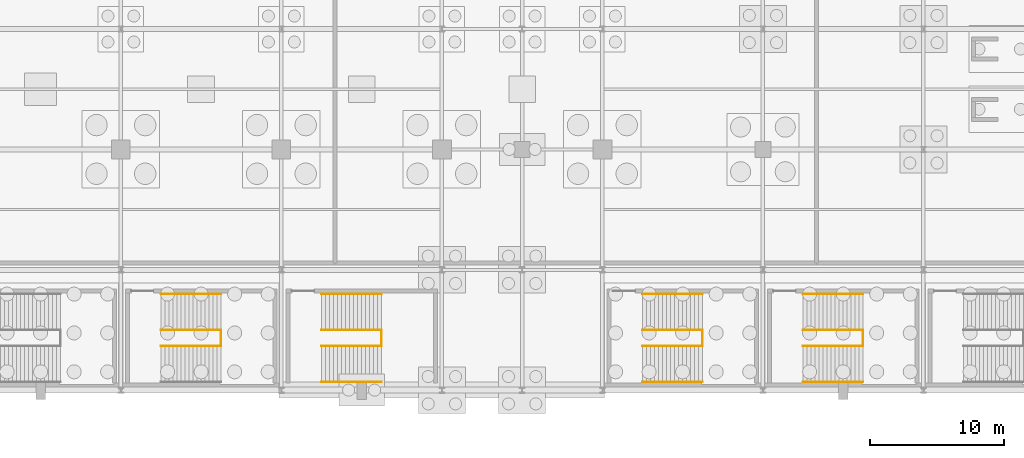
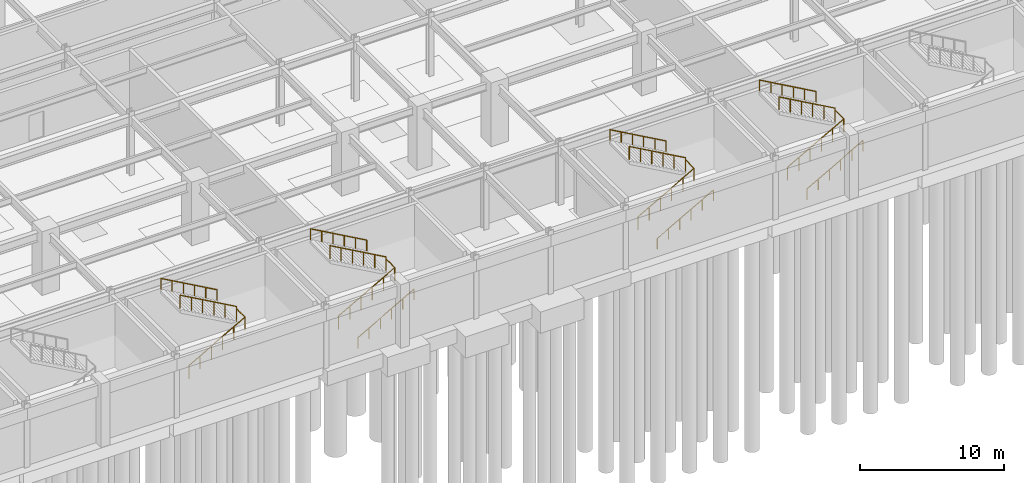
# One storey, part 40 of 47: 19 railings.
"""IFC4 building model written with IfcOpenShell, lengths in metres."""

from ifc_helpers import new_model, si_unit, direction, frame, origin, origin_2d, place, context, subcontext, project, spatial, circle, extrude, material, type_object, element, save


model = new_model("IFC4")

# Units and contexts
model_context = context("Model", 3, precision=1e-05, world=origin(), true_north=direction((0.0, 1.0)))
body_context = subcontext(model_context, "Body", "Model", "MODEL_VIEW")
ifc_project = project(units=[si_unit("LENGTHUNIT", "METRE"), si_unit("AREAUNIT", "SQUARE_METRE"), si_unit("VOLUMEUNIT", "CUBIC_METRE"), si_unit("PLANEANGLEUNIT", "RADIAN"), si_unit("MASSUNIT", "GRAM", prefix="KILO")], contexts=[model_context])

# Site, building, storey
site_placement = place(None, origin())
site = spatial("IfcSite", under=ifc_project, at=site_placement, CompositionType="ELEMENT")
building_placement = place(site_placement, origin())
building = spatial("IfcBuilding", under=site, at=building_placement, Name="Kaldorvane Square Convention Centre", CompositionType="ELEMENT")
storey_placement = place(building_placement, frame((0.0, 0.0, -5.399993896484375)))
storey = spatial("IfcBuildingStorey", under=building, at=storey_placement, Name="B01", CompositionType="ELEMENT", Elevation=-5.399993896484375)

# Railings
ifc_material = material(Name="Architectural Painted Steel", Category="steel")
railing_type_1 = type_object("IfcRailingType", Name="RL-GUARD-1120", PredefinedType="BALUSTRADE", material=ifc_material)
railing_1_placement = place(storey_placement, frame((73.49000549316406, 3.30999755859375, 2.6999969482421875)))
element("IfcRailing", 1, at=railing_1_placement, inside=storey, type_object=railing_type_1, Name="Convention Exit Stair C6 Half-Landing Guard (B01)", PredefinedType="BALUSTRADE", context=body_context, shape_type="SweptSolid", body=[
    extrude(circle(Radius=0.0240020751953125, at=origin_2d()), frame((0.0, 0.0, 1.0959930419921875), z_axis=(0.0, 1.0, 0.0), x_axis=(-1.0, 0.0, 0.0)), (0.0, 0.0, 1.0), 1.19000244140625),
    extrude(circle(Radius=0.02099609375, at=origin_2d()), origin(), (0.0, 0.0, 1.0), 1.071990966796875),
    extrude(circle(Radius=0.02099609375, at=origin_2d()), frame((0.0, 1.19000244140625, 0.0)), (0.0, 0.0, 1.0), 1.071990966796875),
])
railing_2_placement = place(storey_placement, frame((68.99000549316406, 3.3000030517578125, 0.1687469482421875)))
element("IfcRailing", 2, at=railing_2_placement, inside=storey, type_object=railing_type_1, Name="Convention Exit Stair C6 Flight 1 Guard (B01)", PredefinedType="BALUSTRADE", context=body_context, shape_type="SweptSolid", body=[
    extrude(circle(Radius=0.0240020751953125, at=origin_2d()), frame((0.0, 0.0, 1.0959930419921875), z_axis=(0.871575537125, 0.0, 0.490261239633), x_axis=(0.0, 1.0, 0.0)), (0.0, 0.0, 1.0), 5.1630706787109375),
    extrude(circle(Radius=0.02099609375, at=origin_2d()), origin(), (0.0, 0.0, 1.0), 1.071990966796875),
    extrude(circle(Radius=0.02099609375, at=origin_2d()), frame((0.899993896484375, 0.0, 0.506256103515625)), (0.0, 0.0, 1.0), 1.071990966796875),
    extrude(circle(Radius=0.02099609375, at=origin_2d()), frame((1.8000030517578125, 0.0, 1.0124969482421875)), (0.0, 0.0, 1.0), 1.071990966796875),
    extrude(circle(Radius=0.02099609375, at=origin_2d()), frame((2.6999969482421875, 0.0, 1.5187530517578125)), (0.0, 0.0, 1.0), 1.071990966796875),
    extrude(circle(Radius=0.02099609375, at=origin_2d()), frame((3.600006103515625, 0.0, 2.024993896484375)), (0.0, 0.0, 1.0), 1.071990966796875),
    extrude(circle(Radius=0.02099609375, at=origin_2d()), frame((4.5, 0.0, 2.53125)), (0.0, 0.0, 1.0), 1.071990966796875),
])
railing_3_placement = place(storey_placement, frame((73.49000549316406, 4.5099945068359375, 2.868743896484375)))
element("IfcRailing", 3, at=railing_3_placement, inside=storey, type_object=railing_type_1, Name="Convention Exit Stair C6 Flight 2 Guard (B01)", PredefinedType="BALUSTRADE", context=body_context, shape_type="SweptSolid", body=[
    extrude(circle(Radius=0.0240020751953125, at=origin_2d()), frame((0.0, 0.0, 1.0959930419921875), z_axis=(-0.871575537125, 0.0, 0.490261239633), x_axis=(0.0, -1.0, 0.0)), (0.0, 0.0, 1.0), 5.1630706787109375),
    extrude(circle(Radius=0.02099609375, at=origin_2d()), origin(), (0.0, 0.0, 1.0), 1.071990966796875),
    extrude(circle(Radius=0.02099609375, at=origin_2d()), frame((-0.899993896484375, 0.0, 0.506256103515625)), (0.0, 0.0, 1.0), 1.071990966796875),
    extrude(circle(Radius=0.02099609375, at=origin_2d()), frame((-1.8000030517578125, 0.0, 1.0124969482421875)), (0.0, 0.0, 1.0), 1.071990966796875),
    extrude(circle(Radius=0.02099609375, at=origin_2d()), frame((-2.6999969482421875, 0.0, 1.5187530517578125)), (0.0, 0.0, 1.0), 1.071990966796875),
    extrude(circle(Radius=0.02099609375, at=origin_2d()), frame((-3.600006103515625, 0.0, 2.024993896484375)), (0.0, 0.0, 1.0), 1.071990966796875),
    extrude(circle(Radius=0.02099609375, at=origin_2d()), frame((-4.5, 0.0, 2.53125)), (0.0, 0.0, 1.0), 1.071990966796875),
])
railing_4_placement = place(storey_placement, frame((85.49000549316406, 3.30999755859375, 2.6999969482421875)))
element("IfcRailing", 4, at=railing_4_placement, inside=storey, type_object=railing_type_1, Name="Convention Exit Stair C7 Half-Landing Guard (B01)", PredefinedType="BALUSTRADE", context=body_context, shape_type="SweptSolid", body=[
    extrude(circle(Radius=0.0240020751953125, at=origin_2d()), frame((0.0, 0.0, 1.0959930419921875), z_axis=(0.0, 1.0, 0.0), x_axis=(-1.0, 0.0, 0.0)), (0.0, 0.0, 1.0), 1.19000244140625),
    extrude(circle(Radius=0.02099609375, at=origin_2d()), origin(), (0.0, 0.0, 1.0), 1.071990966796875),
    extrude(circle(Radius=0.02099609375, at=origin_2d()), frame((0.0, 1.19000244140625, 0.0)), (0.0, 0.0, 1.0), 1.071990966796875),
])
railing_5_placement = place(storey_placement, frame((80.99000549316406, 3.3000030517578125, 0.1687469482421875)))
element("IfcRailing", 5, at=railing_5_placement, inside=storey, type_object=railing_type_1, Name="Convention Exit Stair C7 Flight 1 Guard (B01)", PredefinedType="BALUSTRADE", context=body_context, shape_type="SweptSolid", body=[
    extrude(circle(Radius=0.0240020751953125, at=origin_2d()), frame((0.0, 0.0, 1.0959930419921875), z_axis=(0.871575537125, 0.0, 0.490261239633), x_axis=(0.0, 1.0, 0.0)), (0.0, 0.0, 1.0), 5.1630706787109375),
    extrude(circle(Radius=0.02099609375, at=origin_2d()), origin(), (0.0, 0.0, 1.0), 1.071990966796875),
    extrude(circle(Radius=0.02099609375, at=origin_2d()), frame((0.899993896484375, 0.0, 0.506256103515625)), (0.0, 0.0, 1.0), 1.071990966796875),
    extrude(circle(Radius=0.02099609375, at=origin_2d()), frame((1.8000030517578125, 0.0, 1.0124969482421875)), (0.0, 0.0, 1.0), 1.071990966796875),
    extrude(circle(Radius=0.02099609375, at=origin_2d()), frame((2.6999969482421875, 0.0, 1.5187530517578125)), (0.0, 0.0, 1.0), 1.071990966796875),
    extrude(circle(Radius=0.02099609375, at=origin_2d()), frame((3.600006103515625, 0.0, 2.024993896484375)), (0.0, 0.0, 1.0), 1.071990966796875),
    extrude(circle(Radius=0.02099609375, at=origin_2d()), frame((4.5, 0.0, 2.53125)), (0.0, 0.0, 1.0), 1.071990966796875),
])
railing_6_placement = place(storey_placement, frame((85.49000549316406, 4.5099945068359375, 2.868743896484375)))
element("IfcRailing", 6, at=railing_6_placement, inside=storey, type_object=railing_type_1, Name="Convention Exit Stair C7 Flight 2 Guard (B01)", PredefinedType="BALUSTRADE", context=body_context, shape_type="SweptSolid", body=[
    extrude(circle(Radius=0.0240020751953125, at=origin_2d()), frame((0.0, 0.0, 1.0959930419921875), z_axis=(-0.871575537125, 0.0, 0.490261239633), x_axis=(0.0, -1.0, 0.0)), (0.0, 0.0, 1.0), 5.1630706787109375),
    extrude(circle(Radius=0.02099609375, at=origin_2d()), origin(), (0.0, 0.0, 1.0), 1.071990966796875),
    extrude(circle(Radius=0.02099609375, at=origin_2d()), frame((-0.899993896484375, 0.0, 0.506256103515625)), (0.0, 0.0, 1.0), 1.071990966796875),
    extrude(circle(Radius=0.02099609375, at=origin_2d()), frame((-1.8000030517578125, 0.0, 1.0124969482421875)), (0.0, 0.0, 1.0), 1.071990966796875),
    extrude(circle(Radius=0.02099609375, at=origin_2d()), frame((-2.6999969482421875, 0.0, 1.5187530517578125)), (0.0, 0.0, 1.0), 1.071990966796875),
    extrude(circle(Radius=0.02099609375, at=origin_2d()), frame((-3.600006103515625, 0.0, 2.024993896484375)), (0.0, 0.0, 1.0), 1.071990966796875),
    extrude(circle(Radius=0.02099609375, at=origin_2d()), frame((-4.5, 0.0, 2.53125)), (0.0, 0.0, 1.0), 1.071990966796875),
])
railing_7_placement = place(storey_placement, frame((109.49000549316406, 3.30999755859375, 2.6999969482421875)))
element("IfcRailing", 7, at=railing_7_placement, inside=storey, type_object=railing_type_1, Name="Convention Exit Stair C8 Half-Landing Guard (B01)", PredefinedType="BALUSTRADE", context=body_context, shape_type="SweptSolid", body=[
    extrude(circle(Radius=0.0240020751953125, at=origin_2d()), frame((0.0, 0.0, 1.0959930419921875), z_axis=(0.0, 1.0, 0.0), x_axis=(-1.0, 0.0, 0.0)), (0.0, 0.0, 1.0), 1.19000244140625),
    extrude(circle(Radius=0.02099609375, at=origin_2d()), origin(), (0.0, 0.0, 1.0), 1.071990966796875),
    extrude(circle(Radius=0.02099609375, at=origin_2d()), frame((0.0, 1.19000244140625, 0.0)), (0.0, 0.0, 1.0), 1.071990966796875),
])
railing_8_placement = place(storey_placement, frame((104.99000549316406, 3.3000030517578125, 0.1687469482421875)))
element("IfcRailing", 8, at=railing_8_placement, inside=storey, type_object=railing_type_1, Name="Convention Exit Stair C8 Flight 1 Guard (B01)", PredefinedType="BALUSTRADE", context=body_context, shape_type="SweptSolid", body=[
    extrude(circle(Radius=0.0240020751953125, at=origin_2d()), frame((0.0, 0.0, 1.0959930419921875), z_axis=(0.871575537125, 0.0, 0.490261239633), x_axis=(0.0, 1.0, 0.0)), (0.0, 0.0, 1.0), 5.1630706787109375),
    extrude(circle(Radius=0.02099609375, at=origin_2d()), origin(), (0.0, 0.0, 1.0), 1.071990966796875),
    extrude(circle(Radius=0.02099609375, at=origin_2d()), frame((0.899993896484375, 0.0, 0.506256103515625)), (0.0, 0.0, 1.0), 1.071990966796875),
    extrude(circle(Radius=0.02099609375, at=origin_2d()), frame((1.8000030517578125, 0.0, 1.0124969482421875)), (0.0, 0.0, 1.0), 1.071990966796875),
    extrude(circle(Radius=0.02099609375, at=origin_2d()), frame((2.6999969482421875, 0.0, 1.5187530517578125)), (0.0, 0.0, 1.0), 1.071990966796875),
    extrude(circle(Radius=0.02099609375, at=origin_2d()), frame((3.600006103515625, 0.0, 2.024993896484375)), (0.0, 0.0, 1.0), 1.071990966796875),
    extrude(circle(Radius=0.02099609375, at=origin_2d()), frame((4.5, 0.0, 2.53125)), (0.0, 0.0, 1.0), 1.071990966796875),
])
railing_9_placement = place(storey_placement, frame((109.49000549316406, 4.5099945068359375, 2.868743896484375)))
element("IfcRailing", 9, at=railing_9_placement, inside=storey, type_object=railing_type_1, Name="Convention Exit Stair C8 Flight 2 Guard (B01)", PredefinedType="BALUSTRADE", context=body_context, shape_type="SweptSolid", body=[
    extrude(circle(Radius=0.0240020751953125, at=origin_2d()), frame((0.0, 0.0, 1.0959930419921875), z_axis=(-0.871575537125, 0.0, 0.490261239633), x_axis=(0.0, -1.0, 0.0)), (0.0, 0.0, 1.0), 5.1630706787109375),
    extrude(circle(Radius=0.02099609375, at=origin_2d()), origin(), (0.0, 0.0, 1.0), 1.071990966796875),
    extrude(circle(Radius=0.02099609375, at=origin_2d()), frame((-0.899993896484375, 0.0, 0.506256103515625)), (0.0, 0.0, 1.0), 1.071990966796875),
    extrude(circle(Radius=0.02099609375, at=origin_2d()), frame((-1.8000030517578125, 0.0, 1.0124969482421875)), (0.0, 0.0, 1.0), 1.071990966796875),
    extrude(circle(Radius=0.02099609375, at=origin_2d()), frame((-2.6999969482421875, 0.0, 1.5187530517578125)), (0.0, 0.0, 1.0), 1.071990966796875),
    extrude(circle(Radius=0.02099609375, at=origin_2d()), frame((-3.600006103515625, 0.0, 2.024993896484375)), (0.0, 0.0, 1.0), 1.071990966796875),
    extrude(circle(Radius=0.02099609375, at=origin_2d()), frame((-4.5, 0.0, 2.53125)), (0.0, 0.0, 1.0), 1.071990966796875),
])
railing_10_placement = place(storey_placement, frame((121.49000549316406, 3.30999755859375, 2.6999969482421875)))
element("IfcRailing", 10, at=railing_10_placement, inside=storey, type_object=railing_type_1, Name="Convention Exit Stair C9 Half-Landing Guard (B01)", PredefinedType="BALUSTRADE", context=body_context, shape_type="SweptSolid", body=[
    extrude(circle(Radius=0.0240020751953125, at=origin_2d()), frame((0.0, 0.0, 1.0959930419921875), z_axis=(0.0, 1.0, 0.0), x_axis=(-1.0, 0.0, 0.0)), (0.0, 0.0, 1.0), 1.19000244140625),
    extrude(circle(Radius=0.02099609375, at=origin_2d()), origin(), (0.0, 0.0, 1.0), 1.071990966796875),
    extrude(circle(Radius=0.02099609375, at=origin_2d()), frame((0.0, 1.19000244140625, 0.0)), (0.0, 0.0, 1.0), 1.071990966796875),
])
railing_11_placement = place(storey_placement, frame((116.99000549316406, 3.3000030517578125, 0.1687469482421875)))
element("IfcRailing", 11, at=railing_11_placement, inside=storey, type_object=railing_type_1, Name="Convention Exit Stair C9 Flight 1 Guard (B01)", PredefinedType="BALUSTRADE", context=body_context, shape_type="SweptSolid", body=[
    extrude(circle(Radius=0.0240020751953125, at=origin_2d()), frame((0.0, 0.0, 1.0959930419921875), z_axis=(0.871575537125, 0.0, 0.490261239633), x_axis=(0.0, 1.0, 0.0)), (0.0, 0.0, 1.0), 5.1630706787109375),
    extrude(circle(Radius=0.02099609375, at=origin_2d()), origin(), (0.0, 0.0, 1.0), 1.071990966796875),
    extrude(circle(Radius=0.02099609375, at=origin_2d()), frame((0.899993896484375, 0.0, 0.506256103515625)), (0.0, 0.0, 1.0), 1.071990966796875),
    extrude(circle(Radius=0.02099609375, at=origin_2d()), frame((1.8000030517578125, 0.0, 1.0124969482421875)), (0.0, 0.0, 1.0), 1.071990966796875),
    extrude(circle(Radius=0.02099609375, at=origin_2d()), frame((2.6999969482421875, 0.0, 1.5187530517578125)), (0.0, 0.0, 1.0), 1.071990966796875),
    extrude(circle(Radius=0.02099609375, at=origin_2d()), frame((3.600006103515625, 0.0, 2.024993896484375)), (0.0, 0.0, 1.0), 1.071990966796875),
    extrude(circle(Radius=0.02099609375, at=origin_2d()), frame((4.5, 0.0, 2.53125)), (0.0, 0.0, 1.0), 1.071990966796875),
])
railing_12_placement = place(storey_placement, frame((121.49000549316406, 4.5099945068359375, 2.868743896484375)))
element("IfcRailing", 12, at=railing_12_placement, inside=storey, type_object=railing_type_1, Name="Convention Exit Stair C9 Flight 2 Guard (B01)", PredefinedType="BALUSTRADE", context=body_context, shape_type="SweptSolid", body=[
    extrude(circle(Radius=0.0240020751953125, at=origin_2d()), frame((0.0, 0.0, 1.0959930419921875), z_axis=(-0.871575537125, 0.0, 0.490261239633), x_axis=(0.0, -1.0, 0.0)), (0.0, 0.0, 1.0), 5.1630706787109375),
    extrude(circle(Radius=0.02099609375, at=origin_2d()), origin(), (0.0, 0.0, 1.0), 1.071990966796875),
    extrude(circle(Radius=0.02099609375, at=origin_2d()), frame((-0.899993896484375, 0.0, 0.506256103515625)), (0.0, 0.0, 1.0), 1.071990966796875),
    extrude(circle(Radius=0.02099609375, at=origin_2d()), frame((-1.8000030517578125, 0.0, 1.0124969482421875)), (0.0, 0.0, 1.0), 1.071990966796875),
    extrude(circle(Radius=0.02099609375, at=origin_2d()), frame((-2.6999969482421875, 0.0, 1.5187530517578125)), (0.0, 0.0, 1.0), 1.071990966796875),
    extrude(circle(Radius=0.02099609375, at=origin_2d()), frame((-3.600006103515625, 0.0, 2.024993896484375)), (0.0, 0.0, 1.0), 1.071990966796875),
    extrude(circle(Radius=0.02099609375, at=origin_2d()), frame((-4.5, 0.0, 2.53125)), (0.0, 0.0, 1.0), 1.071990966796875),
])
railing_type_2 = type_object("IfcRailingType", Name="RL-HAND-915", PredefinedType="HANDRAIL", material=ifc_material)
railing_13_placement = place(storey_placement, frame((73.49000549316406, 7.19000244140625, 2.868743896484375)))
element("IfcRailing", 13, at=railing_13_placement, inside=storey, type_object=railing_type_2, Name="Convention Exit Stair C6 Wall Handrail 2 (B01)", PredefinedType="HANDRAIL", context=body_context, shape_type="SweptSolid", body=[
    extrude(circle(Radius=0.0240020751953125, at=origin_2d()), frame((0.0, 0.0, 0.8909912109375), z_axis=(-0.871575537125, 0.0, 0.490261239633), x_axis=(0.0, -1.0, 0.0)), (0.0, 0.0, 1.0), 5.1630706787109375),
    extrude(circle(Radius=0.02099609375, at=origin_2d()), origin(), (0.0, 0.0, 1.0), 0.8669891357421875),
    extrude(circle(Radius=0.02099609375, at=origin_2d()), frame((-0.899993896484375, 0.0, 0.506256103515625)), (0.0, 0.0, 1.0), 0.8669891357421875),
    extrude(circle(Radius=0.02099609375, at=origin_2d()), frame((-1.8000030517578125, 0.0, 1.0124969482421875)), (0.0, 0.0, 1.0), 0.8669891357421875),
    extrude(circle(Radius=0.02099609375, at=origin_2d()), frame((-2.6999969482421875, 0.0, 1.5187530517578125)), (0.0, 0.0, 1.0), 0.8669891357421875),
    extrude(circle(Radius=0.02099609375, at=origin_2d()), frame((-3.600006103515625, 0.0, 2.024993896484375)), (0.0, 0.0, 1.0), 0.8669891357421875),
    extrude(circle(Radius=0.02099609375, at=origin_2d()), frame((-4.5, 0.0, 2.53125)), (0.0, 0.0, 1.0), 0.8669891357421875),
])
railing_14_placement = place(storey_placement, frame((80.99000549316406, 0.6199951171875, 0.1687469482421875)))
element("IfcRailing", 14, at=railing_14_placement, inside=storey, type_object=railing_type_2, Name="Convention Exit Stair C7 Wall Handrail 1 (B01)", PredefinedType="HANDRAIL", context=body_context, shape_type="SweptSolid", body=[
    extrude(circle(Radius=0.0240020751953125, at=origin_2d()), frame((0.0, 0.0, 0.8909912109375), z_axis=(0.871575537125, 0.0, 0.490261239633), x_axis=(0.0, 1.0, 0.0)), (0.0, 0.0, 1.0), 5.1630706787109375),
    extrude(circle(Radius=0.02099609375, at=origin_2d()), origin(), (0.0, 0.0, 1.0), 0.8669891357421875),
    extrude(circle(Radius=0.02099609375, at=origin_2d()), frame((0.899993896484375, 0.0, 0.506256103515625)), (0.0, 0.0, 1.0), 0.8669891357421875),
    extrude(circle(Radius=0.02099609375, at=origin_2d()), frame((1.8000030517578125, 0.0, 1.0124969482421875)), (0.0, 0.0, 1.0), 0.8669891357421875),
    extrude(circle(Radius=0.02099609375, at=origin_2d()), frame((2.6999969482421875, 0.0, 1.5187530517578125)), (0.0, 0.0, 1.0), 0.8669891357421875),
    extrude(circle(Radius=0.02099609375, at=origin_2d()), frame((3.600006103515625, 0.0, 2.024993896484375)), (0.0, 0.0, 1.0), 0.8669891357421875),
    extrude(circle(Radius=0.02099609375, at=origin_2d()), frame((4.5, 0.0, 2.53125)), (0.0, 0.0, 1.0), 0.8669891357421875),
])
railing_15_placement = place(storey_placement, frame((85.49000549316406, 7.19000244140625, 2.868743896484375)))
element("IfcRailing", 15, at=railing_15_placement, inside=storey, type_object=railing_type_2, Name="Convention Exit Stair C7 Wall Handrail 2 (B01)", PredefinedType="HANDRAIL", context=body_context, shape_type="SweptSolid", body=[
    extrude(circle(Radius=0.0240020751953125, at=origin_2d()), frame((0.0, 0.0, 0.8909912109375), z_axis=(-0.871575537125, 0.0, 0.490261239633), x_axis=(0.0, -1.0, 0.0)), (0.0, 0.0, 1.0), 5.1630706787109375),
    extrude(circle(Radius=0.02099609375, at=origin_2d()), origin(), (0.0, 0.0, 1.0), 0.8669891357421875),
    extrude(circle(Radius=0.02099609375, at=origin_2d()), frame((-0.899993896484375, 0.0, 0.506256103515625)), (0.0, 0.0, 1.0), 0.8669891357421875),
    extrude(circle(Radius=0.02099609375, at=origin_2d()), frame((-1.8000030517578125, 0.0, 1.0124969482421875)), (0.0, 0.0, 1.0), 0.8669891357421875),
    extrude(circle(Radius=0.02099609375, at=origin_2d()), frame((-2.6999969482421875, 0.0, 1.5187530517578125)), (0.0, 0.0, 1.0), 0.8669891357421875),
    extrude(circle(Radius=0.02099609375, at=origin_2d()), frame((-3.600006103515625, 0.0, 2.024993896484375)), (0.0, 0.0, 1.0), 0.8669891357421875),
    extrude(circle(Radius=0.02099609375, at=origin_2d()), frame((-4.5, 0.0, 2.53125)), (0.0, 0.0, 1.0), 0.8669891357421875),
])
railing_16_placement = place(storey_placement, frame((104.99000549316406, 0.6199951171875, 0.1687469482421875)))
element("IfcRailing", 16, at=railing_16_placement, inside=storey, type_object=railing_type_2, Name="Convention Exit Stair C8 Wall Handrail 1 (B01)", PredefinedType="HANDRAIL", context=body_context, shape_type="SweptSolid", body=[
    extrude(circle(Radius=0.0240020751953125, at=origin_2d()), frame((0.0, 0.0, 0.8909912109375), z_axis=(0.871575537125, 0.0, 0.490261239633), x_axis=(0.0, 1.0, 0.0)), (0.0, 0.0, 1.0), 5.1630706787109375),
    extrude(circle(Radius=0.02099609375, at=origin_2d()), origin(), (0.0, 0.0, 1.0), 0.8669891357421875),
    extrude(circle(Radius=0.02099609375, at=origin_2d()), frame((0.899993896484375, 0.0, 0.506256103515625)), (0.0, 0.0, 1.0), 0.8669891357421875),
    extrude(circle(Radius=0.02099609375, at=origin_2d()), frame((1.8000030517578125, 0.0, 1.0124969482421875)), (0.0, 0.0, 1.0), 0.8669891357421875),
    extrude(circle(Radius=0.02099609375, at=origin_2d()), frame((2.6999969482421875, 0.0, 1.5187530517578125)), (0.0, 0.0, 1.0), 0.8669891357421875),
    extrude(circle(Radius=0.02099609375, at=origin_2d()), frame((3.600006103515625, 0.0, 2.024993896484375)), (0.0, 0.0, 1.0), 0.8669891357421875),
    extrude(circle(Radius=0.02099609375, at=origin_2d()), frame((4.5, 0.0, 2.53125)), (0.0, 0.0, 1.0), 0.8669891357421875),
])
railing_17_placement = place(storey_placement, frame((109.49000549316406, 7.19000244140625, 2.868743896484375)))
element("IfcRailing", 17, at=railing_17_placement, inside=storey, type_object=railing_type_2, Name="Convention Exit Stair C8 Wall Handrail 2 (B01)", PredefinedType="HANDRAIL", context=body_context, shape_type="SweptSolid", body=[
    extrude(circle(Radius=0.0240020751953125, at=origin_2d()), frame((0.0, 0.0, 0.8909912109375), z_axis=(-0.871575537125, 0.0, 0.490261239633), x_axis=(0.0, -1.0, 0.0)), (0.0, 0.0, 1.0), 5.1630706787109375),
    extrude(circle(Radius=0.02099609375, at=origin_2d()), origin(), (0.0, 0.0, 1.0), 0.8669891357421875),
    extrude(circle(Radius=0.02099609375, at=origin_2d()), frame((-0.899993896484375, 0.0, 0.506256103515625)), (0.0, 0.0, 1.0), 0.8669891357421875),
    extrude(circle(Radius=0.02099609375, at=origin_2d()), frame((-1.8000030517578125, 0.0, 1.0124969482421875)), (0.0, 0.0, 1.0), 0.8669891357421875),
    extrude(circle(Radius=0.02099609375, at=origin_2d()), frame((-2.6999969482421875, 0.0, 1.5187530517578125)), (0.0, 0.0, 1.0), 0.8669891357421875),
    extrude(circle(Radius=0.02099609375, at=origin_2d()), frame((-3.600006103515625, 0.0, 2.024993896484375)), (0.0, 0.0, 1.0), 0.8669891357421875),
    extrude(circle(Radius=0.02099609375, at=origin_2d()), frame((-4.5, 0.0, 2.53125)), (0.0, 0.0, 1.0), 0.8669891357421875),
])
railing_18_placement = place(storey_placement, frame((116.99000549316406, 0.6199951171875, 0.1687469482421875)))
element("IfcRailing", 18, at=railing_18_placement, inside=storey, type_object=railing_type_2, Name="Convention Exit Stair C9 Wall Handrail 1 (B01)", PredefinedType="HANDRAIL", context=body_context, shape_type="SweptSolid", body=[
    extrude(circle(Radius=0.0240020751953125, at=origin_2d()), frame((0.0, 0.0, 0.8909912109375), z_axis=(0.871575537125, 0.0, 0.490261239633), x_axis=(0.0, 1.0, 0.0)), (0.0, 0.0, 1.0), 5.1630706787109375),
    extrude(circle(Radius=0.02099609375, at=origin_2d()), origin(), (0.0, 0.0, 1.0), 0.8669891357421875),
    extrude(circle(Radius=0.02099609375, at=origin_2d()), frame((0.899993896484375, 0.0, 0.506256103515625)), (0.0, 0.0, 1.0), 0.8669891357421875),
    extrude(circle(Radius=0.02099609375, at=origin_2d()), frame((1.8000030517578125, 0.0, 1.0124969482421875)), (0.0, 0.0, 1.0), 0.8669891357421875),
    extrude(circle(Radius=0.02099609375, at=origin_2d()), frame((2.6999969482421875, 0.0, 1.5187530517578125)), (0.0, 0.0, 1.0), 0.8669891357421875),
    extrude(circle(Radius=0.02099609375, at=origin_2d()), frame((3.600006103515625, 0.0, 2.024993896484375)), (0.0, 0.0, 1.0), 0.8669891357421875),
    extrude(circle(Radius=0.02099609375, at=origin_2d()), frame((4.5, 0.0, 2.53125)), (0.0, 0.0, 1.0), 0.8669891357421875),
])
railing_19_placement = place(storey_placement, frame((121.49000549316406, 7.19000244140625, 2.868743896484375)))
element("IfcRailing", 19, at=railing_19_placement, inside=storey, type_object=railing_type_2, Name="Convention Exit Stair C9 Wall Handrail 2 (B01)", PredefinedType="HANDRAIL", context=body_context, shape_type="SweptSolid", body=[
    extrude(circle(Radius=0.0240020751953125, at=origin_2d()), frame((0.0, 0.0, 0.8909912109375), z_axis=(-0.871575537125, 0.0, 0.490261239633), x_axis=(0.0, -1.0, 0.0)), (0.0, 0.0, 1.0), 5.1630706787109375),
    extrude(circle(Radius=0.02099609375, at=origin_2d()), origin(), (0.0, 0.0, 1.0), 0.8669891357421875),
    extrude(circle(Radius=0.02099609375, at=origin_2d()), frame((-0.899993896484375, 0.0, 0.506256103515625)), (0.0, 0.0, 1.0), 0.8669891357421875),
    extrude(circle(Radius=0.02099609375, at=origin_2d()), frame((-1.8000030517578125, 0.0, 1.0124969482421875)), (0.0, 0.0, 1.0), 0.8669891357421875),
    extrude(circle(Radius=0.02099609375, at=origin_2d()), frame((-2.6999969482421875, 0.0, 1.5187530517578125)), (0.0, 0.0, 1.0), 0.8669891357421875),
    extrude(circle(Radius=0.02099609375, at=origin_2d()), frame((-3.600006103515625, 0.0, 2.024993896484375)), (0.0, 0.0, 1.0), 0.8669891357421875),
    extrude(circle(Radius=0.02099609375, at=origin_2d()), frame((-4.5, 0.0, 2.53125)), (0.0, 0.0, 1.0), 0.8669891357421875),
])

save(model, "model.ifc")
